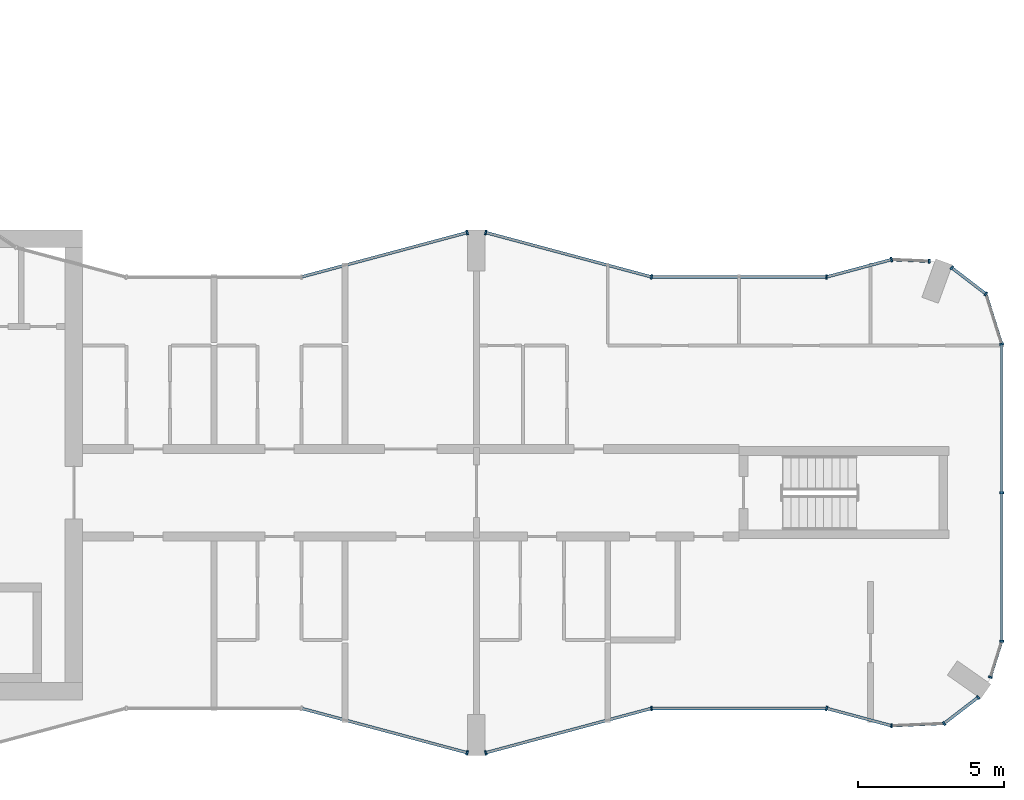
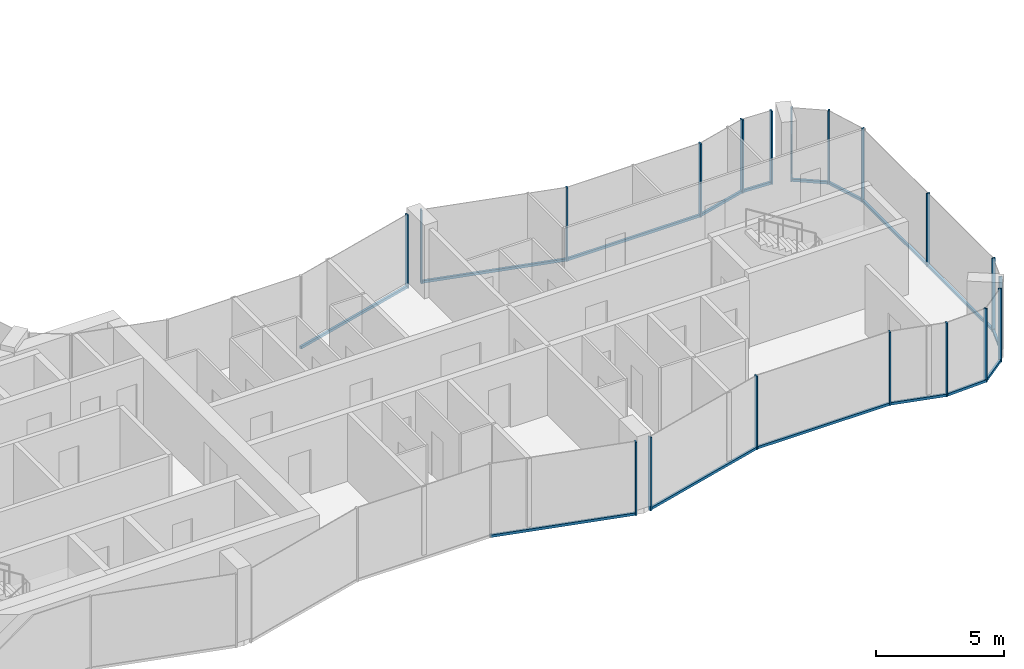
# One storey, part 6 of 16: 34 members, 15 elements without a shape of their own.
"""IFC4 building model written with IfcOpenShell, lengths in metres."""

import ifcopenshell
import ifcopenshell.guid

model = None  # the IFC model being written
_history = None  # IfcOwnerHistory: only IFC2X3 demands one
_inside = {}  # id of a spatial element -> (the spatial element, [elements in it])
_under = {}  # id of a project, library or spatial element -> (it, [spatial elements below it])
_declared = {}  # id of a project -> (the project, [libraries it declares])
_typed = {}  # id of a type object -> (the type object, [elements of that type])
_made_of = {}  # id of a material, layer set ... -> (it, [elements and type objects made of it])


def new_model(schema):
    """Start an empty IFC model of exactly this schema.

    Asked for "IFC4X3", IfcOpenShell would pick the latest addendum, in which some entities
    have other attributes; the version numbers below select the first issue.
    IFC2X3 requires an IfcOwnerHistory on every rooted entity: one is made here for all.
    """
    global model, _history
    if schema == "IFC4X3":
        model = ifcopenshell.file(schema_version=(4, 3, 0, 0))
    else:
        model = ifcopenshell.file(schema=schema)
    _inside.clear()
    _under.clear()
    _declared.clear()
    _typed.clear()
    _made_of.clear()
    _history = None
    if model.schema == "IFC2X3":
        org = make("IfcOrganization", Name="unknown")
        user = make(
            "IfcPersonAndOrganization",
            ThePerson=make("IfcPerson", FamilyName="unknown"),
            TheOrganization=org,
        )
        app = make(
            "IfcApplication",
            ApplicationDeveloper=org,
            Version="unknown",
            ApplicationFullName="unknown",
            ApplicationIdentifier="unknown",
        )
        _history = make(
            "IfcOwnerHistory",
            OwningUser=user,
            OwningApplication=app,
            ChangeAction="ADDED",
            CreationDate=0,
        )
    return model


def make(cls, **values):
    """One entity of the class cls with the attributes given. An attribute that is None is left unset."""
    return model.create_entity(
        cls, **{name: value for name, value in values.items() if value is not None}
    )


def rooted(cls, **values):
    """An entity with a GlobalId (a new one), such as an element, a storey or a relation."""
    return make(cls, GlobalId=ifcopenshell.guid.new(), OwnerHistory=_history, **values)


def si_unit(unit_type, name, prefix=None):
    """IfcSIUnit, for example si_unit("LENGTHUNIT", "METRE", prefix="MILLI")."""
    return make("IfcSIUnit", UnitType=unit_type, Prefix=prefix, Name=name)


def assignment(units):
    """IfcUnitAssignment: the units of a project."""
    return None if units is None else make("IfcUnitAssignment", Units=units)


def point(xyz):
    """IfcCartesianPoint."""
    return None if xyz is None else make("IfcCartesianPoint", Coordinates=xyz)


def direction(xyz):
    """IfcDirection."""
    return None if xyz is None else make("IfcDirection", DirectionRatios=xyz)


def frame(location, z_axis=None, x_axis=None):
    """IfcAxis2Placement3D, a coordinate frame: its origin and axes. An axis left out is left unset."""
    return make(
        "IfcAxis2Placement3D",
        Location=point(location),
        Axis=direction(z_axis),
        RefDirection=direction(x_axis),
    )


def frame_2d(location, x_axis=None):
    """IfcAxis2Placement2D, a coordinate frame in the plane: its origin and x axis."""
    return make(
        "IfcAxis2Placement2D", Location=point(location), RefDirection=direction(x_axis)
    )


def origin():
    """The frame at (0, 0, 0) with its axes left unset."""
    return frame((0.0, 0.0, 0.0))


def origin_2d():
    """The frame at (0, 0) in the plane with its x axis left unset."""
    return frame_2d((0.0, 0.0))


def place(relative_to, where):
    """IfcLocalPlacement: puts the frame where relative to a parent placement (None: the world)."""
    return make(
        "IfcLocalPlacement", PlacementRelTo=relative_to, RelativePlacement=where
    )


def context(
    kind, dimensions, precision=None, world=None, true_north=None, identifier=None
):
    """IfcGeometricRepresentationContext, for example the 3D "Model" context."""
    return make(
        "IfcGeometricRepresentationContext",
        ContextIdentifier=identifier,
        ContextType=kind,
        CoordinateSpaceDimension=dimensions,
        Precision=precision,
        WorldCoordinateSystem=world,
        TrueNorth=true_north,
    )


def subcontext(parent, identifier, kind, view, scale=None):
    """IfcGeometricRepresentationSubContext, for example "Body" below "Model"."""
    return make(
        "IfcGeometricRepresentationSubContext",
        ContextIdentifier=identifier,
        ContextType=kind,
        ParentContext=parent,
        TargetScale=scale,
        TargetView=view,
    )


def project(units=None, contexts=None):
    """IfcProject with its units and contexts."""
    return rooted(
        "IfcProject",
        Name="project",
        RepresentationContexts=contexts,
        UnitsInContext=assignment(units),
    )


def spatial(cls, under=None, at=None, **own):
    """A site, building, storey or space (cls), placed at a placement, below another one or the project."""
    s = rooted(cls, ObjectPlacement=at, **own)
    if under is not None:
        _under.setdefault(under.id(), (under, []))[1].append(s)
    return s


def profile(cls, at=None, kind="AREA", **sizes):
    """A parametric profile (cls). Its sizes go by their IFC names, for example OverallWidth=200.0."""
    return make(cls, ProfileType=kind, Position=at, **sizes)


def rectangle(**sizes):
    """IfcRectangleProfileDef."""
    return profile("IfcRectangleProfileDef", **sizes)


def extrude(swept, where, along, depth):
    """IfcExtrudedAreaSolid: the profile swept, set in the frame where, extruded along a direction by depth."""
    return make(
        "IfcExtrudedAreaSolid",
        SweptArea=swept,
        Position=where,
        ExtrudedDirection=direction(along),
        Depth=depth,
    )


def shape(context_of_items, identifier, shape_type, items):
    """IfcShapeRepresentation: the items that make up one representation, for example the "Body"."""
    return make(
        "IfcShapeRepresentation",
        ContextOfItems=context_of_items,
        RepresentationIdentifier=identifier,
        RepresentationType=shape_type,
        Items=items,
    )


def material(Name=None, Category=None):
    """IfcMaterial."""
    return make("IfcMaterial", Name=Name, Category=Category)


def layer(
    of_material, thickness, ventilated=None, Name=None, Category=None, Priority=None
):
    """IfcMaterialLayer: one layer of a wall or slab, of a material (None: an air gap)."""
    return make(
        "IfcMaterialLayer",
        Material=of_material,
        LayerThickness=thickness,
        IsVentilated=ventilated,
        Name=Name,
        Category=Category,
        Priority=Priority,
    )


def layer_set(layers, Name=None):
    """IfcMaterialLayerSet."""
    return make("IfcMaterialLayerSet", MaterialLayers=layers, LayerSetName=Name)


def material_profile(
    of_material, cross_section, Name=None, Category=None, Priority=None
):
    """IfcMaterialProfile: a cross section and its material."""
    return make(
        "IfcMaterialProfile",
        Name=Name,
        Material=of_material,
        Profile=cross_section,
        Priority=Priority,
        Category=Category,
    )


def profile_set(profiles, Name=None, composite=None):
    """IfcMaterialProfileSet."""
    return make(
        "IfcMaterialProfileSet",
        Name=Name,
        MaterialProfiles=profiles,
        CompositeProfile=composite,
    )


def made_of(thing, what):
    """Note that an element or type object is made of a material, layer set ...; save() writes the relation."""
    if what is not None:
        _made_of.setdefault(what.id(), (what, []))[1].append(thing)
    return thing


def type_object(cls, material=None, **own):
    """A type object (cls), such as IfcWallType, which elements share."""
    return made_of(rooted(cls, **own), material)


def element(
    cls,
    number,
    at=None,
    inside=None,
    cuts=None,
    type_object=None,
    material=None,
    context=None,
    identifier="Body",
    shape_type=None,
    held_by="IfcProductDefinitionShape",
    body=None,
    shapes=None,
    **own,
):
    """One element of the class cls, such as IfcWall. Its Tag is "e" and its number.

    at: its placement. inside: the storey or other place that contains it. cuts: it is an
    opening in that element (IfcRelVoidsElement). A single representation is given by context,
    identifier, shape_type and body (its items); several are given by shapes. held_by: the class
    of the entity that holds the representations. save() writes the other relations.
    """
    e = rooted(cls, Tag="e%d" % number, ObjectPlacement=at, **own)
    if body is not None:
        shapes = [shape(context, identifier, shape_type, body)]
    if shapes is not None:
        e.Representation = make(held_by, Representations=shapes)
    if inside is not None:
        _inside.setdefault(inside.id(), (inside, []))[1].append(e)
    if cuts is not None:
        rooted(
            "IfcRelVoidsElement", RelatingBuildingElement=cuts, RelatedOpeningElement=e
        )
    if type_object is not None:
        _typed.setdefault(type_object.id(), (type_object, []))[1].append(e)
    return made_of(e, material)


def aggregate(whole, parts):
    """IfcRelAggregates: a whole, such as a stair, and the parts it consists of."""
    return rooted("IfcRelAggregates", RelatingObject=whole, RelatedObjects=parts)


def save(model, path):
    """Write the relations noted so far, then the file.

    IfcRelAggregates (storeys below a building ...), IfcRelContainedInSpatialStructure (elements
    in a storey), IfcRelDefinesByType, IfcRelAssociatesMaterial and IfcRelDeclares: one each for
    every whole, place, type object, material and project.
    """
    for whole, parts in _under.values():
        aggregate(whole, parts)
    for where, things in _inside.values():
        rooted(
            "IfcRelContainedInSpatialStructure",
            RelatedElements=things,
            RelatingStructure=where,
        )
    for kind, things in _typed.values():
        rooted("IfcRelDefinesByType", RelatedObjects=things, RelatingType=kind)
    for what, things in _made_of.values():
        rooted("IfcRelAssociatesMaterial", RelatedObjects=things, RelatingMaterial=what)
    for by, libraries in _declared.values():
        rooted("IfcRelDeclares", RelatingContext=by, RelatedDefinitions=libraries)
    model.write(path)


model = new_model("IFC4")

# Units and contexts
model_context = context("Model", 3, precision=1e-05, world=origin(), true_north=direction((0.0, 1.0)))
body_context = subcontext(model_context, "Body", "Model", "MODEL_VIEW")
ifc_project = project(units=[si_unit("LENGTHUNIT", "METRE"), si_unit("AREAUNIT", "SQUARE_METRE"), si_unit("VOLUMEUNIT", "CUBIC_METRE"), si_unit("PLANEANGLEUNIT", "RADIAN"), si_unit("MASSUNIT", "GRAM", prefix="KILO")], contexts=[model_context])

# Site, building, storey
site_placement = place(None, origin())
site = spatial("IfcSite", under=ifc_project, at=site_placement, CompositionType="ELEMENT")
building_placement = place(site_placement, origin())
building = spatial("IfcBuilding", under=site, at=building_placement, Name="Plateau Cross Towers", CompositionType="ELEMENT")
storey_placement = place(building_placement, frame((0.0, 0.0, 163.89990234375)))
storey = spatial("IfcBuildingStorey", under=building, at=storey_placement, Name="L42", CompositionType="ELEMENT", Elevation=163.89990234375)

# Curtain wall, member
ifc_material_1 = material(Name="Dark low-iron glass", Category="glass")
ifc_layer_1 = layer(ifc_material_1, 0.239990234375)
ifc_layer_set_1 = layer_set([ifc_layer_1], Name="Dark low-iron glass")
curtain_wall_type_1 = type_object("IfcCurtainWallType", Name="Curtain wall flush unitised CW-B", PredefinedType="NOTDEFINED", material=ifc_layer_set_1)
curtain_wall_1_placement = place(storey_placement, origin())
curtain_wall_1 = element("IfcCurtainWall", 1, at=curtain_wall_1_placement, inside=storey, type_object=curtain_wall_type_1, Name="ENV/A/L42/A502_10", PredefinedType="NOTDEFINED")
ifc_material_2 = material(Name="Black anodised aluminium", Category="aluminium")
ifc_material_profile_1 = material_profile(ifc_material_2, rectangle(XDim=0.06005859375, YDim=0.139892578125, at=origin_2d()), Name="MULLION 60x140")
ifc_profile_set_1 = profile_set([ifc_material_profile_1], Name="Black anodised aluminium")
member_type_1 = type_object("IfcMemberType", Name="Mullion 60x140 flush unitised", PredefinedType="MULLION", material=ifc_profile_set_1)
member_1_placement = place(storey_placement, frame((50.223876953125, 1.01123046875, -0.25), z_axis=(0.0, 0.0, 1.0), x_axis=(0.999043701491, 0.043722791671, 0.0)))
member_1 = element("IfcMember", 2, at=member_1_placement, type_object=member_type_1, Name="CW-B mullion 1", PredefinedType="MULLION", context=body_context, shape_type="SweptSolid", body=[
    extrude(rectangle(XDim=0.06005859375, YDim=0.139892578125, at=origin_2d()), origin(), (0.0, 0.0, 1.0), 3.5),
])

# Curtain wall, members
curtain_wall_2_placement = place(storey_placement, origin())
curtain_wall_2 = element("IfcCurtainWall", 3, at=curtain_wall_2_placement, inside=storey, type_object=curtain_wall_type_1, Name="ENV/A/L42/A520_11", PredefinedType="NOTDEFINED")
member_2_placement = place(storey_placement, frame((52.0263671875, 1.090087890625, -0.25), z_axis=(0.0, 0.0, 1.0), x_axis=(0.793315514529, 0.608810721331, 0.0)))
member_2 = element("IfcMember", 4, at=member_2_placement, type_object=member_type_1, Name="CW-B mullion 1", PredefinedType="MULLION", context=body_context, shape_type="SweptSolid", body=[
    extrude(rectangle(XDim=0.06005859375, YDim=0.139892578125, at=origin_2d()), origin(), (0.0, 0.0, 1.0), 3.5),
])
member_3_placement = place(storey_placement, frame((53.193603515625, 1.986083984375, -0.25), z_axis=(0.0, 0.0, 1.0), x_axis=(0.793315514529, 0.608810721331, 0.0)))
member_3 = element("IfcMember", 5, at=member_3_placement, type_object=member_type_1, Name="CW-B mullion 2", PredefinedType="MULLION", context=body_context, shape_type="SweptSolid", body=[
    extrude(rectangle(XDim=0.06005859375, YDim=0.139892578125, at=origin_2d()), origin(), (0.0, 0.0, 1.0), 3.5),
])

# Curtain wall, member
curtain_wall_3_placement = place(storey_placement, origin())
curtain_wall_3 = element("IfcCurtainWall", 6, at=curtain_wall_3_placement, inside=storey, type_object=curtain_wall_type_1, Name="ENV/A/L42/A536_27", PredefinedType="NOTDEFINED")
member_4_placement = place(storey_placement, frame((53.611083984375, 2.67529296875, -0.25), z_axis=(0.0, 0.0, 1.0), x_axis=(0.300686174994, 0.95372313811, 0.0)))
member_4 = element("IfcMember", 7, at=member_4_placement, type_object=member_type_1, Name="CW-B mullion 1", PredefinedType="MULLION", context=body_context, shape_type="SweptSolid", body=[
    extrude(rectangle(XDim=0.06005859375, YDim=0.139892578125, at=origin_2d()), origin(), (0.0, 0.0, 1.0), 3.5),
])

# Curtain wall, members
curtain_wall_4_placement = place(storey_placement, origin())
curtain_wall_4 = element("IfcCurtainWall", 8, at=curtain_wall_4_placement, inside=storey, type_object=curtain_wall_type_1, Name="ENV/A/L42/A540_39", PredefinedType="NOTDEFINED")
member_5_placement = place(storey_placement, frame((54.0, 3.9091796875, -0.25), z_axis=(0.0, 0.0, 1.0), x_axis=(0.0, 1.0, 0.0)))
member_5 = element("IfcMember", 9, at=member_5_placement, type_object=member_type_1, Name="CW-B mullion 1", PredefinedType="MULLION", context=body_context, shape_type="SweptSolid", body=[
    extrude(rectangle(XDim=0.06005859375, YDim=0.139892578125, at=origin_2d()), origin(), (0.0, 0.0, 1.0), 3.5),
])
member_6_placement = place(storey_placement, frame((54.0, 9.0, -0.25), z_axis=(0.0, 0.0, 1.0), x_axis=(0.0, 1.0, 0.0)))
member_6 = element("IfcMember", 10, at=member_6_placement, type_object=member_type_1, Name="CW-B mullion 2", PredefinedType="MULLION", context=body_context, shape_type="SweptSolid", body=[
    extrude(rectangle(XDim=0.06005859375, YDim=0.139892578125, at=origin_2d()), origin(), (0.0, 0.0, 1.0), 3.5),
])

# Curtain wall, member
curtain_wall_5_placement = place(storey_placement, origin())
curtain_wall_5 = element("IfcCurtainWall", 11, at=curtain_wall_5_placement, inside=storey, type_object=curtain_wall_type_1, Name="ENV/A/L42/A540_141", PredefinedType="NOTDEFINED")
member_7_placement = place(storey_placement, frame((54.0, 14.0908203125, -0.25), z_axis=(0.0, 0.0, 1.0), x_axis=(-0.300686174994, 0.95372313811, 0.0)))
member_7 = element("IfcMember", 12, at=member_7_placement, type_object=member_type_1, Name="CW-B mullion 1", PredefinedType="MULLION", context=body_context, shape_type="SweptSolid", body=[
    extrude(rectangle(XDim=0.06005859375, YDim=0.139892578125, at=origin_2d()), origin(), (0.0, 0.0, 1.0), 3.5),
])

# Curtain wall, members
curtain_wall_6_placement = place(storey_placement, origin())
curtain_wall_6 = element("IfcCurtainWall", 13, at=curtain_wall_6_placement, inside=storey, type_object=curtain_wall_type_1, Name="ENV/A/L42/A535_158", PredefinedType="NOTDEFINED")
member_8_placement = place(storey_placement, frame((53.45751953125, 15.8115234375, -0.25), z_axis=(0.0, 0.0, 1.0), x_axis=(-0.793315514529, 0.608810721331, 0.0)))
member_8 = element("IfcMember", 14, at=member_8_placement, type_object=member_type_1, Name="CW-B mullion 1", PredefinedType="MULLION", context=body_context, shape_type="SweptSolid", body=[
    extrude(rectangle(XDim=0.06005859375, YDim=0.139892578125, at=origin_2d()), origin(), (0.0, 0.0, 1.0), 3.5),
])
member_9_placement = place(storey_placement, frame((52.290283203125, 16.707275390625, -0.25), z_axis=(0.0, 0.0, 1.0), x_axis=(-0.793315514529, 0.608810721331, 0.0)))
member_9 = element("IfcMember", 15, at=member_9_placement, type_object=member_type_1, Name="CW-B mullion 2", PredefinedType="MULLION", context=body_context, shape_type="SweptSolid", body=[
    extrude(rectangle(XDim=0.06005859375, YDim=0.139892578125, at=origin_2d()), origin(), (0.0, 0.0, 1.0), 3.5),
])

# Curtain wall, member
curtain_wall_7_placement = place(storey_placement, origin())
curtain_wall_7 = element("IfcCurtainWall", 16, at=curtain_wall_7_placement, inside=storey, type_object=curtain_wall_type_1, Name="ENV/A/L42/A515_169", PredefinedType="NOTDEFINED")
member_10_placement = place(storey_placement, frame((51.516357421875, 16.93212890625, -0.25), z_axis=(0.0, 0.0, 1.0), x_axis=(-0.999043701491, 0.043722791671, 0.0)))
member_10 = element("IfcMember", 17, at=member_10_placement, type_object=member_type_1, Name="CW-B mullion 1", PredefinedType="MULLION", context=body_context, shape_type="SweptSolid", body=[
    extrude(rectangle(XDim=0.06005859375, YDim=0.139892578125, at=origin_2d()), origin(), (0.0, 0.0, 1.0), 3.5),
])

ifc_layer_2 = layer(ifc_material_1, 0.260009765625)
ifc_layer_set_2 = layer_set([ifc_layer_2], Name="Dark low-iron glass")
curtain_wall_type_2 = type_object("IfcCurtainWallType", Name="Curtain wall fluted unitised CW-A", PredefinedType="NOTDEFINED", material=ifc_layer_set_2)
curtain_wall_8_placement = place(storey_placement, origin())
curtain_wall_8 = element("IfcCurtainWall", 18, at=curtain_wall_8_placement, inside=storey, type_object=curtain_wall_type_2, Name="ENV/A/L42/A300_16", PredefinedType="NOTDEFINED")
ifc_material_profile_2 = material_profile(ifc_material_2, rectangle(XDim=0.06005859375, YDim=0.159912109375, at=origin_2d()), Name="MULLION 60x160")
ifc_profile_set_2 = profile_set([ifc_material_profile_2], Name="Black anodised aluminium")
member_type_2 = type_object("IfcMemberType", Name="Mullion 60x160 fluted unitised", PredefinedType="MULLION", material=ifc_profile_set_2)
member_11_placement = place(storey_placement, frame((35.68212890625, 0.085205078125, -0.25), z_axis=(0.0, 0.0, 1.0), x_axis=(0.965957983404, -0.258699003279, 0.0)))
member_11 = element("IfcMember", 19, at=member_11_placement, type_object=member_type_2, Name="CW-A mullion 2", PredefinedType="MULLION", context=body_context, shape_type="SweptSolid", body=[
    extrude(rectangle(XDim=0.06005859375, YDim=0.159912109375, at=origin_2d()), origin(), (0.0, 0.0, 1.0), 3.5),
])

curtain_wall_9_placement = place(storey_placement, origin())
curtain_wall_9 = element("IfcCurtainWall", 20, at=curtain_wall_9_placement, inside=storey, type_object=curtain_wall_type_2, Name="ENV/A/L42/A363_1", PredefinedType="NOTDEFINED")
member_12_placement = place(storey_placement, frame((36.31787109375, 0.085205078125, -0.25), z_axis=(0.0, 0.0, 1.0), x_axis=(0.965957983404, 0.258699003279, 0.0)))
member_12 = element("IfcMember", 21, at=member_12_placement, type_object=member_type_2, Name="CW-A mullion 1", PredefinedType="MULLION", context=body_context, shape_type="SweptSolid", body=[
    extrude(rectangle(XDim=0.06005859375, YDim=0.159912109375, at=origin_2d()), origin(), (0.0, 0.0, 1.0), 3.5),
])

curtain_wall_10_placement = place(storey_placement, origin())
curtain_wall_10 = element("IfcCurtainWall", 22, at=curtain_wall_10_placement, inside=storey, type_object=curtain_wall_type_2, Name="ENV/A/L42/A420_16", PredefinedType="NOTDEFINED")
member_13_placement = place(storey_placement, frame((42.0, 1.60693359375, -0.25), z_axis=(0.0, 0.0, 1.0), x_axis=(1.0, 0.0, 0.0)))
member_13 = element("IfcMember", 23, at=member_13_placement, type_object=member_type_2, Name="CW-A mullion 1", PredefinedType="MULLION", context=body_context, shape_type="SweptSolid", body=[
    extrude(rectangle(XDim=0.06005859375, YDim=0.159912109375, at=origin_2d()), origin(), (0.0, 0.0, 1.0), 3.5),
])

curtain_wall_11_placement = place(storey_placement, origin())
curtain_wall_11 = element("IfcCurtainWall", 24, at=curtain_wall_11_placement, inside=storey, type_object=curtain_wall_type_2, Name="ENV/A/L42/A480_16", PredefinedType="NOTDEFINED")
member_14_placement = place(storey_placement, frame((48.0, 1.60693359375, -0.25), z_axis=(0.0, 0.0, 1.0), x_axis=(0.965957962328, -0.258699081978, 0.0)))
member_14 = element("IfcMember", 25, at=member_14_placement, type_object=member_type_2, Name="CW-A mullion 1", PredefinedType="MULLION", context=body_context, shape_type="SweptSolid", body=[
    extrude(rectangle(XDim=0.06005859375, YDim=0.159912109375, at=origin_2d()), origin(), (0.0, 0.0, 1.0), 3.5),
])

curtain_wall_12_placement = place(storey_placement, origin())
curtain_wall_12 = element("IfcCurtainWall", 26, at=curtain_wall_12_placement, inside=storey, type_object=curtain_wall_type_2, Name="ENV/A/L42/A502_170", PredefinedType="NOTDEFINED")
member_15_placement = place(storey_placement, frame((50.223876953125, 16.98876953125, -0.25), z_axis=(0.0, 0.0, 1.0), x_axis=(-0.965957962328, -0.258699081978, 0.0)))
member_15 = element("IfcMember", 27, at=member_15_placement, type_object=member_type_2, Name="CW-A mullion 1", PredefinedType="MULLION", context=body_context, shape_type="SweptSolid", body=[
    extrude(rectangle(XDim=0.06005859375, YDim=0.159912109375, at=origin_2d()), origin(), (0.0, 0.0, 1.0), 3.5),
])

curtain_wall_13_placement = place(storey_placement, origin())
curtain_wall_13 = element("IfcCurtainWall", 28, at=curtain_wall_13_placement, inside=storey, type_object=curtain_wall_type_2, Name="ENV/A/L42/A480_164", PredefinedType="NOTDEFINED")
member_16_placement = place(storey_placement, frame((48.0, 16.39306640625, -0.25), z_axis=(0.0, 0.0, 1.0), x_axis=(-1.0, 0.0, 0.0)))
member_16 = element("IfcMember", 29, at=member_16_placement, type_object=member_type_2, Name="CW-A mullion 1", PredefinedType="MULLION", context=body_context, shape_type="SweptSolid", body=[
    extrude(rectangle(XDim=0.06005859375, YDim=0.159912109375, at=origin_2d()), origin(), (0.0, 0.0, 1.0), 3.5),
])

# Curtain wall, members
curtain_wall_14_placement = place(storey_placement, origin())
curtain_wall_14 = element("IfcCurtainWall", 30, at=curtain_wall_14_placement, inside=storey, type_object=curtain_wall_type_2, Name="ENV/A/L42/A420_164", PredefinedType="NOTDEFINED")
member_17_placement = place(storey_placement, frame((42.0, 16.39306640625, -0.25), z_axis=(0.0, 0.0, 1.0), x_axis=(-0.965957983404, 0.258699003279, 0.0)))
member_17 = element("IfcMember", 31, at=member_17_placement, type_object=member_type_2, Name="CW-A mullion 1", PredefinedType="MULLION", context=body_context, shape_type="SweptSolid", body=[
    extrude(rectangle(XDim=0.06005859375, YDim=0.159912109375, at=origin_2d()), origin(), (0.0, 0.0, 1.0), 3.5),
])
member_18_placement = place(storey_placement, frame((36.31787109375, 17.914794921875, -0.25), z_axis=(0.0, 0.0, 1.0), x_axis=(-0.965957983404, 0.258699003279, 0.0)))
member_18 = element("IfcMember", 32, at=member_18_placement, type_object=member_type_2, Name="CW-A mullion 2", PredefinedType="MULLION", context=body_context, shape_type="SweptSolid", body=[
    extrude(rectangle(XDim=0.06005859375, YDim=0.159912109375, at=origin_2d()), origin(), (0.0, 0.0, 1.0), 3.5),
])

# Curtain wall, member
curtain_wall_15_placement = place(storey_placement, origin())
curtain_wall_15 = element("IfcCurtainWall", 33, at=curtain_wall_15_placement, inside=storey, type_object=curtain_wall_type_2, Name="ENV/A/L42/A357_179", PredefinedType="NOTDEFINED")
member_19_placement = place(storey_placement, frame((35.68212890625, 17.914794921875, -0.25), z_axis=(0.0, 0.0, 1.0), x_axis=(-0.965957983404, -0.258699003279, 0.0)))
member_19 = element("IfcMember", 34, at=member_19_placement, type_object=member_type_2, Name="CW-A mullion 1", PredefinedType="MULLION", context=body_context, shape_type="SweptSolid", body=[
    extrude(rectangle(XDim=0.06005859375, YDim=0.159912109375, at=origin_2d()), origin(), (0.0, 0.0, 1.0), 3.5),
])

# Member
ifc_material_profile_3 = material_profile(ifc_material_2, rectangle(XDim=0.10009765625, YDim=0.1201171875, at=origin_2d()), Name="TRANSOM 100x120")
ifc_profile_set_3 = profile_set([ifc_material_profile_3], Name="Black anodised aluminium")
member_type_3 = type_object("IfcMemberType", Name="Transom 100x120 flush unitised", PredefinedType="USERDEFINED", material=ifc_profile_set_3)
member_20_placement = place(storey_placement, frame((50.223876953125, 1.01123046875, -0.18994140625), z_axis=(0.999044377355, 0.043707345779, 0.0), x_axis=(-0.043707345779, 0.999044377355, 0.0)))
member_20 = element("IfcMember", 35, at=member_20_placement, type_object=member_type_3, Name="CW-B transom", ObjectType="TRANSOM", PredefinedType="USERDEFINED", context=body_context, shape_type="SweptSolid", body=[
    extrude(rectangle(XDim=0.10009765625, YDim=0.1201171875, at=origin_2d()), origin(), (0.0, 0.0, 1.0), 1.80419921875),
])

aggregate(curtain_wall_1, [member_1, member_20])

member_21_placement = place(storey_placement, frame((52.0263671875, 1.090087890625, -0.18994140625), z_axis=(0.793240368515, 0.608908628415, 0.0), x_axis=(-0.608908628415, 0.793240368515, 0.0)))
member_21 = element("IfcMember", 36, at=member_21_placement, type_object=member_type_3, Name="CW-B transom", ObjectType="TRANSOM", PredefinedType="USERDEFINED", context=body_context, shape_type="SweptSolid", body=[
    extrude(rectangle(XDim=0.10009765625, YDim=0.1201171875, at=origin_2d()), origin(), (0.0, 0.0, 1.0), 1.471435546875),
])

aggregate(curtain_wall_2, [member_2, member_3, member_21])

member_22_placement = place(storey_placement, frame((53.611083984375, 2.67529296875, -0.18994140625), z_axis=(0.300616528216, 0.953745093284, 0.0), x_axis=(-0.953745093284, 0.300616528216, 0.0)))
member_22 = element("IfcMember", 37, at=member_22_placement, type_object=member_type_3, Name="CW-B transom", ObjectType="TRANSOM", PredefinedType="USERDEFINED", context=body_context, shape_type="SweptSolid", body=[
    extrude(rectangle(XDim=0.10009765625, YDim=0.1201171875, at=origin_2d()), origin(), (0.0, 0.0, 1.0), 1.293701171875),
])

aggregate(curtain_wall_3, [member_4, member_22])

member_23_placement = place(storey_placement, frame((54.0, 3.9091796875, -0.18994140625), z_axis=(0.0, 1.0, 0.0), x_axis=(-1.0, 0.0, 0.0)))
member_23 = element("IfcMember", 38, at=member_23_placement, type_object=member_type_3, Name="CW-B transom", ObjectType="TRANSOM", PredefinedType="USERDEFINED", context=body_context, shape_type="SweptSolid", body=[
    extrude(rectangle(XDim=0.10009765625, YDim=0.1201171875, at=origin_2d()), origin(), (0.0, 0.0, 1.0), 10.181640625),
])

aggregate(curtain_wall_4, [member_5, member_6, member_23])

member_24_placement = place(storey_placement, frame((54.0, 14.0908203125, -0.18994140625), z_axis=(-0.30067799945, 0.953725715626, 0.0), x_axis=(-0.953725715626, -0.30067799945, 0.0)))
member_24 = element("IfcMember", 39, at=member_24_placement, type_object=member_type_3, Name="CW-B transom", ObjectType="TRANSOM", PredefinedType="USERDEFINED", context=body_context, shape_type="SweptSolid", body=[
    extrude(rectangle(XDim=0.10009765625, YDim=0.1201171875, at=origin_2d()), origin(), (0.0, 0.0, 1.0), 1.80419921875),
])

aggregate(curtain_wall_5, [member_7, member_24])

member_25_placement = place(storey_placement, frame((53.45751953125, 15.8115234375, -0.18994140625), z_axis=(-0.793320508571, 0.608804213751, 0.0), x_axis=(-0.608804213751, -0.793320508571, 0.0)))
member_25 = element("IfcMember", 40, at=member_25_placement, type_object=member_type_3, Name="CW-B transom", ObjectType="TRANSOM", PredefinedType="USERDEFINED", context=body_context, shape_type="SweptSolid", body=[
    extrude(rectangle(XDim=0.10009765625, YDim=0.1201171875, at=origin_2d()), origin(), (0.0, 0.0, 1.0), 1.471435546875),
])

aggregate(curtain_wall_6, [member_8, member_9, member_25])

member_26_placement = place(storey_placement, frame((51.516357421875, 16.93212890625, -0.18994140625), z_axis=(-0.999041144614, 0.043781175963, 0.0), x_axis=(-0.043781175963, -0.999041144614, 0.0)))
member_26 = element("IfcMember", 41, at=member_26_placement, type_object=member_type_3, Name="CW-B transom", ObjectType="TRANSOM", PredefinedType="USERDEFINED", context=body_context, shape_type="SweptSolid", body=[
    extrude(rectangle(XDim=0.10009765625, YDim=0.1201171875, at=origin_2d()), origin(), (0.0, 0.0, 1.0), 1.293701171875),
])

aggregate(curtain_wall_7, [member_10, member_26])

ifc_material_profile_4 = material_profile(ifc_material_2, rectangle(XDim=0.10009765625, YDim=0.1201171875, at=origin_2d()), Name="TRANSOM 100x120")
ifc_profile_set_4 = profile_set([ifc_material_profile_4], Name="Black anodised aluminium")
member_type_4 = type_object("IfcMemberType", Name="Transom 100x120 fluted unitised", PredefinedType="USERDEFINED", material=ifc_profile_set_4)
member_27_placement = place(storey_placement, frame((30.0, 1.60693359375, -0.18994140625), z_axis=(0.965959534794, -0.258693210465, 0.0), x_axis=(0.258693210465, 0.965959534794, 0.0)))
member_27 = element("IfcMember", 42, at=member_27_placement, type_object=member_type_4, Name="CW-A transom", ObjectType="TRANSOM", PredefinedType="USERDEFINED", context=body_context, shape_type="SweptSolid", body=[
    extrude(rectangle(XDim=0.10009765625, YDim=0.1201171875, at=origin_2d()), origin(), (0.0, 0.0, 1.0), 5.88232421875),
])

aggregate(curtain_wall_8, [member_11, member_27])

member_28_placement = place(storey_placement, frame((36.31787109375, 0.085205078125, -0.18994140625), z_axis=(0.965959534794, 0.258693210465, 0.0), x_axis=(-0.258693210465, 0.965959534794, 0.0)))
member_28 = element("IfcMember", 43, at=member_28_placement, type_object=member_type_4, Name="CW-A transom", ObjectType="TRANSOM", PredefinedType="USERDEFINED", context=body_context, shape_type="SweptSolid", body=[
    extrude(rectangle(XDim=0.10009765625, YDim=0.1201171875, at=origin_2d()), origin(), (0.0, 0.0, 1.0), 5.88232421875),
])

aggregate(curtain_wall_9, [member_12, member_28])

member_29_placement = place(storey_placement, frame((42.0, 1.60693359375, -0.18994140625), z_axis=(1.0, 0.0, 0.0), x_axis=(0.0, 1.0, 0.0)))
member_29 = element("IfcMember", 44, at=member_29_placement, type_object=member_type_4, Name="CW-A transom", ObjectType="TRANSOM", PredefinedType="USERDEFINED", context=body_context, shape_type="SweptSolid", body=[
    extrude(rectangle(XDim=0.10009765625, YDim=0.1201171875, at=origin_2d()), origin(), (0.0, 0.0, 1.0), 6.0),
])

aggregate(curtain_wall_10, [member_13, member_29])

member_30_placement = place(storey_placement, frame((48.0, 1.60693359375, -0.18994140625), z_axis=(0.965945685136, -0.258744919501, 0.0), x_axis=(0.258744919501, 0.965945685136, 0.0)))
member_30 = element("IfcMember", 45, at=member_30_placement, type_object=member_type_4, Name="CW-A transom", ObjectType="TRANSOM", PredefinedType="USERDEFINED", context=body_context, shape_type="SweptSolid", body=[
    extrude(rectangle(XDim=0.10009765625, YDim=0.1201171875, at=origin_2d()), origin(), (0.0, 0.0, 1.0), 2.30224609375),
])

aggregate(curtain_wall_11, [member_14, member_30])

member_31_placement = place(storey_placement, frame((50.223876953125, 16.98876953125, -0.18994140625), z_axis=(-0.965945685136, -0.258744919501, 0.0), x_axis=(0.258744919501, -0.965945685136, 0.0)))
member_31 = element("IfcMember", 46, at=member_31_placement, type_object=member_type_4, Name="CW-A transom", ObjectType="TRANSOM", PredefinedType="USERDEFINED", context=body_context, shape_type="SweptSolid", body=[
    extrude(rectangle(XDim=0.10009765625, YDim=0.1201171875, at=origin_2d()), origin(), (0.0, 0.0, 1.0), 2.30224609375),
])

aggregate(curtain_wall_12, [member_15, member_31])

member_32_placement = place(storey_placement, frame((48.0, 16.39306640625, -0.18994140625), z_axis=(-1.0, 0.0, 0.0), x_axis=(0.0, -1.0, 0.0)))
member_32 = element("IfcMember", 47, at=member_32_placement, type_object=member_type_4, Name="CW-A transom", ObjectType="TRANSOM", PredefinedType="USERDEFINED", context=body_context, shape_type="SweptSolid", body=[
    extrude(rectangle(XDim=0.10009765625, YDim=0.1201171875, at=origin_2d()), origin(), (0.0, 0.0, 1.0), 6.0),
])

aggregate(curtain_wall_13, [member_16, member_32])

member_33_placement = place(storey_placement, frame((42.0, 16.39306640625, -0.18994140625), z_axis=(-0.965959534794, 0.258693210465, 0.0), x_axis=(-0.258693210465, -0.965959534794, 0.0)))
member_33 = element("IfcMember", 48, at=member_33_placement, type_object=member_type_4, Name="CW-A transom", ObjectType="TRANSOM", PredefinedType="USERDEFINED", context=body_context, shape_type="SweptSolid", body=[
    extrude(rectangle(XDim=0.10009765625, YDim=0.1201171875, at=origin_2d()), origin(), (0.0, 0.0, 1.0), 5.88232421875),
])

aggregate(curtain_wall_14, [member_17, member_18, member_33])

member_34_placement = place(storey_placement, frame((35.68212890625, 17.914794921875, -0.18994140625), z_axis=(-0.965959534794, -0.258693210465, 0.0), x_axis=(0.258693210465, -0.965959534794, 0.0)))
member_34 = element("IfcMember", 49, at=member_34_placement, type_object=member_type_4, Name="CW-A transom", ObjectType="TRANSOM", PredefinedType="USERDEFINED", context=body_context, shape_type="SweptSolid", body=[
    extrude(rectangle(XDim=0.10009765625, YDim=0.1201171875, at=origin_2d()), origin(), (0.0, 0.0, 1.0), 5.88232421875),
])

aggregate(curtain_wall_15, [member_19, member_34])

save(model, "model.ifc")
